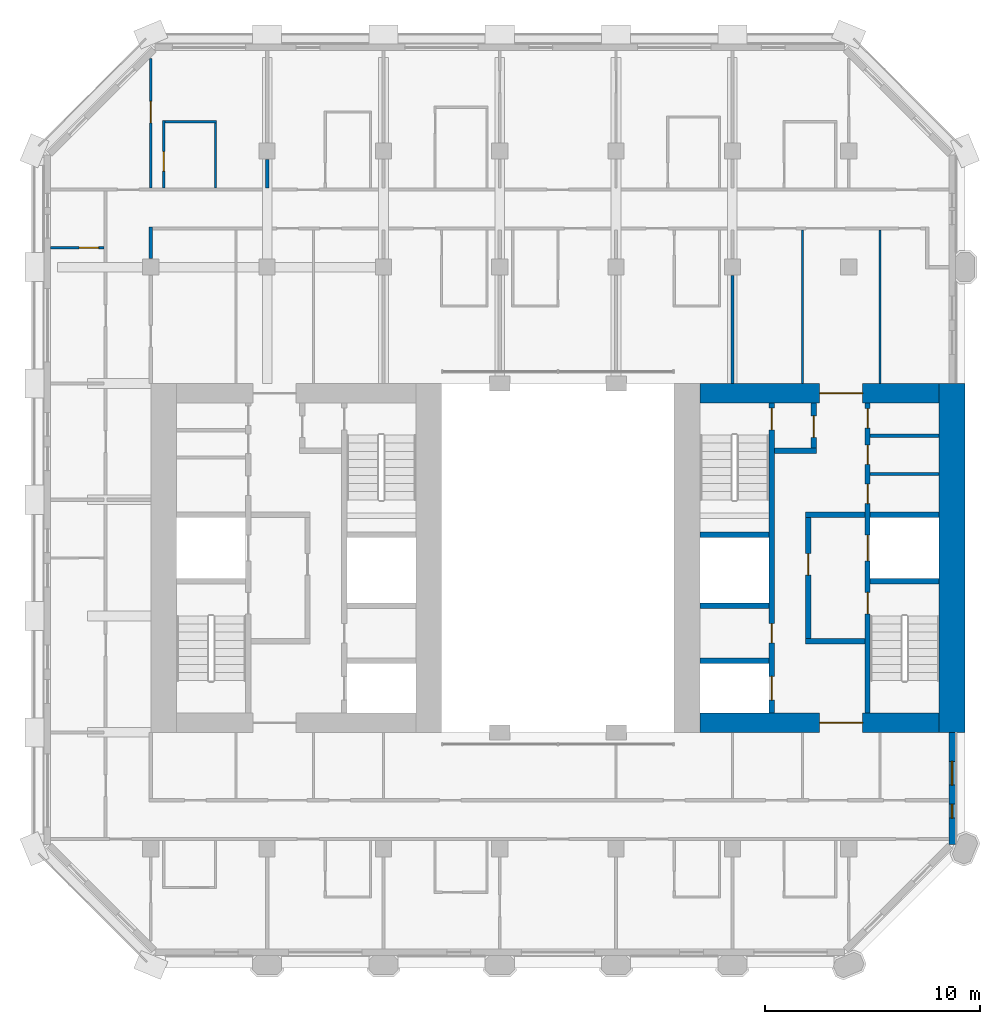
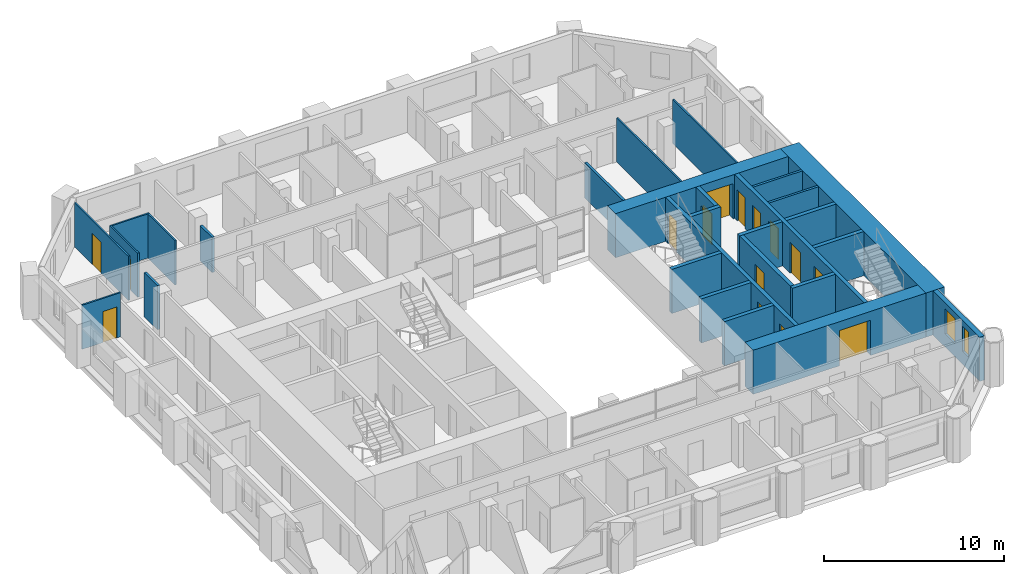
# One storey, part 9 of 14: 28 walls, 15 doors, 2 windows, 17 openings.
"""IFC4 building model written with IfcOpenShell, lengths in metres."""

from ifc_helpers import new_model, si_unit, direction, frame, frame_2d, origin, place, context, subcontext, project, spatial, rectangle, extrude, material, layer, layer_set, type_object, element, fill, save


model = new_model("IFC4")

# Units and contexts
model_context = context("Model", 3, precision=1e-05, world=origin(), true_north=direction((0.0, 1.0)))
body_context = subcontext(model_context, "Body", "Model", "MODEL_VIEW")
ifc_project = project(units=[si_unit("LENGTHUNIT", "METRE"), si_unit("AREAUNIT", "SQUARE_METRE"), si_unit("VOLUMEUNIT", "CUBIC_METRE"), si_unit("PLANEANGLEUNIT", "RADIAN"), si_unit("MASSUNIT", "GRAM", prefix="KILO")], contexts=[model_context])

# Site, building, storey
site_placement = place(None, origin())
site = spatial("IfcSite", under=ifc_project, at=site_placement, CompositionType="ELEMENT")
building_placement = place(site_placement, origin())
building = spatial("IfcBuilding", under=site, at=building_placement, Name="Tabaq Tower and Sports Hall", CompositionType="ELEMENT")
storey_placement = place(building_placement, frame((0.0, 0.0, 223.60009765625)))
storey = spatial("IfcBuildingStorey", under=building, at=storey_placement, Name="L56", CompositionType="ELEMENT", Elevation=223.60009765625)

# Walls
ifc_material_1 = material(Name="Blockwork", Category="masonry")
ifc_layer_1 = layer(ifc_material_1, 0.14990234375)
ifc_layer_set_1 = layer_set([ifc_layer_1], Name="Core room partition 150 Blockwork")
wall_type_1 = type_object("IfcWallType", Name="Core room partition 150 Blockwork", PredefinedType="PARTITIONING", material=ifc_layer_set_1)
for number, where, z_axis, x_axis, name in (
    (1, (38.800048828125, 28.200927734375, 0.0), (0.0, 0.0, 1.0), (1.0, 0.0, 0.0), "Core room partition E L56"),
    (2, (38.800048828125, 29.97705078125, 0.0), (0.0, 0.0, 1.0), (1.0, 0.0, 0.0), "Core room partition E L56"),
):
    element("IfcWall", number, at=place(storey_placement, frame(where, z_axis=z_axis, x_axis=x_axis)), inside=storey, type_object=wall_type_1, Name=name, PredefinedType="PARTITIONING", context=body_context, shape_type="SweptSolid", body=[
        extrude(rectangle(XDim=3.199951171875, YDim=0.14990234375, at=frame_2d((1.60009765625, 0.0))), origin(), (0.0, 0.0, 1.0), 3.0),
    ])
ifc_material_2 = material(Name="Concrete C50/60", Category="concrete")
ifc_layer_2 = layer(ifc_material_2, 1.199951171875)
ifc_layer_set_2 = layer_set([ifc_layer_2], Name="Core wall 1200 Concrete C50/60")
wall_type_2 = type_object("IfcWallType", Name="Core wall 1200 Concrete C50/60", PredefinedType="SOLIDWALL", material=ifc_layer_set_2)
wall_1_placement = place(storey_placement, frame((42.60009765625, 32.39990234375, 0.0), z_axis=(0.0, 0.0, 1.0), x_axis=(0.0, -1.0, 0.0)))
element("IfcWall", 3, at=wall_1_placement, inside=storey, type_object=wall_type_2, Name="Core wall E L56", PredefinedType="SOLIDWALL", context=body_context, shape_type="SweptSolid", body=[
    extrude(rectangle(XDim=16.199951171875, YDim=1.199951171875, at=frame_2d((8.10009765625, 0.0))), origin(), (0.0, 0.0, 1.0), 3.0),
])

# Wall, opening, door
ifc_material_3 = material(Name="Concrete C50/60", Category="concrete")
ifc_layer_3 = layer(ifc_material_3, 0.89990234375)
ifc_layer_set_3 = layer_set([ifc_layer_3], Name="Core wall 900 Concrete C50/60")
wall_type_3 = type_object("IfcWallType", Name="Core wall 900 Concrete C50/60", PredefinedType="SOLIDWALL", material=ifc_layer_set_3)
wall_2_placement = place(storey_placement, frame((42.0, 16.64990234375, 0.0), z_axis=(0.0, 0.0, 1.0), x_axis=(-1.0, 0.0, 0.0)))
wall_2 = element("IfcWall", 4, at=wall_2_placement, inside=storey, type_object=wall_type_3, Name="Core wall E L56", PredefinedType="SOLIDWALL", context=body_context, shape_type="SweptSolid", body=[
    extrude(rectangle(XDim=11.10009765625, YDim=0.89990234375, at=frame_2d((5.550048828125, 0.0))), origin(), (0.0, 0.0, 1.0), 3.0),
])
opening_1_placement = place(wall_2_placement, frame((3.550048828125, 0.0, 0.0)))
opening_1 = element("IfcOpeningElement", 5, at=opening_1_placement, cuts=wall_2, Name="Opening PD-EL56-01", PredefinedType="OPENING", context=body_context, shape_type="SweptSolid", body=[
    extrude(rectangle(XDim=2.0, YDim=2.39990234375, at=frame_2d((1.0, 1.199951171875))), frame((0.0, 0.449951171875, 0.0), z_axis=(0.0, -1.0, 0.0), x_axis=(1.0, 0.0, 0.0)), (0.0, 0.0, 1.0), 0.89990234375),
])
ifc_material_4 = material(Name="Steel fire door", Category="steel")
door_type_1 = type_object("IfcDoorType", Name="Core entrance door 2000", OperationType="DOUBLE_DOOR_SINGLE_SWING", PredefinedType="DOOR", material=ifc_material_4)
door_1_placement = place(opening_1_placement, origin())
door_1 = element("IfcDoor", 6, at=door_1_placement, inside=storey, type_object=door_type_1, Name="Core entrance south E L56", OperationType="DOUBLE_DOOR_SINGLE_SWING", OverallHeight=2.39990234375, OverallWidth=2.0, PredefinedType="DOOR", context=body_context, shape_type="SweptSolid", body=[
    extrude(rectangle(XDim=2.0, YDim=2.39990234375, at=frame_2d((1.0, 1.199951171875))), frame((0.0, 0.02490234375, 0.0), z_axis=(0.0, -1.0, 0.0), x_axis=(1.0, 0.0, 0.0)), (0.0, 0.0, 1.0), 0.050048828125),
])
fill(opening_1, door_1)

wall_3_placement = place(storey_placement, frame((30.89990234375, 31.949951171875, 0.0), z_axis=(0.0, 0.0, 1.0), x_axis=(1.0, 0.0, 0.0)))
wall_3 = element("IfcWall", 7, at=wall_3_placement, inside=storey, type_object=wall_type_3, Name="Core wall E L56", PredefinedType="SOLIDWALL", context=body_context, shape_type="SweptSolid", body=[
    extrude(rectangle(XDim=11.10009765625, YDim=0.89990234375, at=frame_2d((5.550048828125, 0.0))), origin(), (0.0, 0.0, 1.0), 3.0),
])
opening_2_placement = place(wall_3_placement, frame((5.550048828125, 0.0, 0.0)))
opening_2 = element("IfcOpeningElement", 8, at=opening_2_placement, cuts=wall_3, Name="Opening PD-EL56-02", PredefinedType="OPENING", context=body_context, shape_type="SweptSolid", body=[
    extrude(rectangle(XDim=2.0, YDim=2.39990234375, at=frame_2d((1.0, 1.199951171875))), frame((0.0, 0.449951171875, 0.0), z_axis=(0.0, -1.0, 0.0), x_axis=(1.0, 0.0, 0.0)), (0.0, 0.0, 1.0), 0.89990234375),
])
door_2_placement = place(opening_2_placement, origin())
door_2 = element("IfcDoor", 9, at=door_2_placement, inside=storey, type_object=door_type_1, Name="Core entrance north E L56", OperationType="DOUBLE_DOOR_SINGLE_SWING", OverallHeight=2.39990234375, OverallWidth=2.0, PredefinedType="DOOR", context=body_context, shape_type="SweptSolid", body=[
    extrude(rectangle(XDim=2.0, YDim=2.39990234375, at=frame_2d((1.0, 1.199951171875))), frame((0.0, 0.02490234375, 0.0), z_axis=(0.0, -1.0, 0.0), x_axis=(1.0, 0.0, 0.0)), (0.0, 0.0, 1.0), 0.050048828125),
])
fill(opening_2, door_2)

ifc_material_5 = material(Name="Gypsum board on steel studs", Category="steel")
ifc_layer_4 = layer(ifc_material_5, 0.10009765625)
ifc_layer_set_4 = layer_set([ifc_layer_4], Name="Partition 100 Gypsum board")
wall_type_4 = type_object("IfcWallType", Name="Partition 100 Gypsum board", PredefinedType="PARTITIONING", material=ifc_layer_set_4)
wall_4_placement = place(storey_placement, frame((3.22509765625, 38.699951171875, 0.0), z_axis=(0.0, 0.0, 1.0), x_axis=(-1.0, 0.0, 0.0)))
wall_4 = element("IfcWall", 10, at=wall_4_placement, inside=storey, type_object=wall_type_4, Name="Partition wall L56", PredefinedType="PARTITIONING", context=body_context, shape_type="SweptSolid", body=[
    extrude(rectangle(XDim=2.47412109375, YDim=0.10009765625, at=frame_2d((1.237060546875, 0.0))), origin(), (0.0, 0.0, 1.0), 3.0),
])
opening_3_placement = place(wall_4_placement, frame((0.25, 0.0, 0.0)))
opening_3 = element("IfcOpeningElement", 11, at=opening_3_placement, cuts=wall_4, Name="Opening L56-004", PredefinedType="OPENING", context=body_context, shape_type="SweptSolid", body=[
    extrude(rectangle(XDim=0.89990234375, YDim=2.10009765625, at=frame_2d((0.449951171875, 1.050048828125))), frame((0.0, 0.050048828125, 0.0), z_axis=(0.0, -1.0, 0.0), x_axis=(1.0, 0.0, 0.0)), (0.0, 0.0, 1.0), 0.10009765625),
])
ifc_material_6 = material(Name="Timber leaf in steel frame", Category="steel")
door_type_2 = type_object("IfcDoorType", Name="Internal door 900 left hand", OperationType="SINGLE_SWING_LEFT", PredefinedType="DOOR", material=ifc_material_6)
door_3_placement = place(opening_3_placement, origin())
door_3 = element("IfcDoor", 12, at=door_3_placement, inside=storey, type_object=door_type_2, Name="Internal door L56-004", OperationType="SINGLE_SWING_LEFT", OverallHeight=2.10009765625, OverallWidth=0.89990234375, PredefinedType="DOOR", context=body_context, shape_type="SweptSolid", body=[
    extrude(rectangle(XDim=0.89990234375, YDim=2.10009765625, at=frame_2d((0.449951171875, 1.050048828125))), frame((0.0, 0.02490234375, 0.0), z_axis=(0.0, -1.0, 0.0), x_axis=(1.0, 0.0, 0.0)), (0.0, 0.0, 1.0), 0.050048828125),
])
fill(opening_3, door_3)

wall_5_placement = place(storey_placement, frame((5.39990234375, 47.48779296875, 0.0), z_axis=(0.0, 0.0, 1.0), x_axis=(0.0, -1.0, 0.0)))
wall_5 = element("IfcWall", 13, at=wall_5_placement, inside=storey, type_object=wall_type_4, Name="Partition wall L56", PredefinedType="PARTITIONING", context=body_context, shape_type="SweptSolid", body=[
    extrude(rectangle(XDim=6.0126953125, YDim=0.10009765625, at=frame_2d((3.00634765625, 0.0))), origin(), (0.0, 0.0, 1.0), 3.0),
])
opening_4_placement = place(wall_5_placement, frame((1.98779296875, 0.0, 0.0)))
opening_4 = element("IfcOpeningElement", 14, at=opening_4_placement, cuts=wall_5, Name="Opening L56-037", PredefinedType="OPENING", context=body_context, shape_type="SweptSolid", body=[
    extrude(rectangle(XDim=1.0, YDim=2.10009765625, at=frame_2d((0.5, 1.050048828125))), frame((0.0, 0.050048828125, 0.0), z_axis=(0.0, -1.0, 0.0), x_axis=(1.0, 0.0, 0.0)), (0.0, 0.0, 1.0), 0.10009765625),
])
ifc_material_7 = material(Name="Timber leaf in steel frame", Category="steel")
door_type_3 = type_object("IfcDoorType", Name="Internal door 1000 left hand", OperationType="SINGLE_SWING_LEFT", PredefinedType="DOOR", material=ifc_material_7)
door_4_placement = place(opening_4_placement, origin())
door_4 = element("IfcDoor", 15, at=door_4_placement, inside=storey, type_object=door_type_3, Name="Internal door L56-037", OperationType="SINGLE_SWING_LEFT", OverallHeight=2.10009765625, OverallWidth=1.0, PredefinedType="DOOR", context=body_context, shape_type="SweptSolid", body=[
    extrude(rectangle(XDim=1.0, YDim=2.10009765625, at=frame_2d((0.5, 1.050048828125))), frame((0.0, 0.02490234375, 0.0), z_axis=(0.0, -1.0, 0.0), x_axis=(1.0, 0.0, 0.0)), (0.0, 0.0, 1.0), 0.050048828125),
])
fill(opening_4, door_4)

wall_6_placement = place(storey_placement, frame((6.0, 41.47509765625, 0.0), z_axis=(0.0, 0.0, 1.0), x_axis=(0.0, 1.0, 0.0)))
wall_6 = element("IfcWall", 16, at=wall_6_placement, inside=storey, type_object=wall_type_4, Name="Partition wall L56", PredefinedType="PARTITIONING", context=body_context, shape_type="SweptSolid", body=[
    extrude(rectangle(XDim=3.125, YDim=0.10009765625, at=frame_2d((1.5625, 0.0))), origin(), (0.0, 0.0, 1.0), 3.0),
])
opening_5_placement = place(wall_6_placement, frame((0.78759765625, 0.0, 0.0)))
opening_5 = element("IfcOpeningElement", 17, at=opening_5_placement, cuts=wall_6, Name="Opening L56-009", PredefinedType="OPENING", context=body_context, shape_type="SweptSolid", body=[
    extrude(rectangle(XDim=0.89990234375, YDim=2.10009765625, at=frame_2d((0.449951171875, 1.050048828125))), frame((0.0, 0.050048828125, 0.0), z_axis=(0.0, -1.0, 0.0), x_axis=(1.0, 0.0, 0.0)), (0.0, 0.0, 1.0), 0.10009765625),
])
door_5_placement = place(opening_5_placement, origin())
door_5 = element("IfcDoor", 18, at=door_5_placement, inside=storey, type_object=door_type_2, Name="Internal door L56-009", OperationType="SINGLE_SWING_LEFT", OverallHeight=2.10009765625, OverallWidth=0.89990234375, PredefinedType="DOOR", context=body_context, shape_type="SweptSolid", body=[
    extrude(rectangle(XDim=0.89990234375, YDim=2.10009765625, at=frame_2d((0.449951171875, 1.050048828125))), frame((0.0, 0.02490234375, 0.0), z_axis=(0.0, -1.0, 0.0), x_axis=(1.0, 0.0, 0.0)), (0.0, 0.0, 1.0), 0.050048828125),
])
fill(opening_5, door_5)

# Walls
wall_7_placement = place(storey_placement, frame((6.050048828125, 44.550048828125, 0.0), z_axis=(0.0, 0.0, 1.0), x_axis=(1.0, 0.0, 0.0)))
element("IfcWall", 19, at=wall_7_placement, inside=storey, type_object=wall_type_4, Name="Partition wall L56", PredefinedType="PARTITIONING", context=body_context, shape_type="SweptSolid", body=[
    extrude(rectangle(XDim=2.39990234375, YDim=0.10009765625, at=frame_2d((1.199951171875, 0.0))), origin(), (0.0, 0.0, 1.0), 3.0),
])
wall_8_placement = place(storey_placement, frame((8.39990234375, 44.5, 0.0), z_axis=(0.0, 0.0, 1.0), x_axis=(0.0, -1.0, 0.0)))
element("IfcWall", 20, at=wall_8_placement, inside=storey, type_object=wall_type_4, Name="Partition wall L56", PredefinedType="PARTITIONING", context=body_context, shape_type="SweptSolid", body=[
    extrude(rectangle(XDim=3.02490234375, YDim=0.10009765625, at=frame_2d((1.512451171875, 0.0))), origin(), (0.0, 0.0, 1.0), 3.0),
])
for number, where, z_axis, x_axis, name in (
    (21, (39.25, 32.39990234375, 0.0), (0.0, 0.0, 1.0), (0.0, 1.0, 0.0), "Partition wall L56"),
    (22, (35.64990234375, 39.52490234375, 0.0), (0.0, 0.0, 1.0), (0.0, -1.0, 0.0), "Partition wall L56"),
):
    element("IfcWall", number, at=place(storey_placement, frame(where, z_axis=z_axis, x_axis=x_axis)), inside=storey, type_object=wall_type_4, Name=name, PredefinedType="PARTITIONING", context=body_context, shape_type="SweptSolid", body=[
        extrude(rectangle(XDim=7.125, YDim=0.10009765625, at=frame_2d((3.5625, 0.0))), origin(), (0.0, 0.0, 1.0), 3.0),
    ])
ifc_material_8 = material(Name="Blockwork", Category="masonry")
ifc_layer_5 = layer(ifc_material_8, 0.14990234375)
ifc_layer_set_5 = layer_set([ifc_layer_5], Name="Separating wall 150 Blockwork")
wall_type_5 = type_object("IfcWallType", Name="Separating wall 150 Blockwork", PredefinedType="PARTITIONING", material=ifc_layer_set_5)
wall_9_placement = place(storey_placement, frame((32.39990234375, 32.39990234375, 0.0), z_axis=(0.0, 0.0, 1.0), x_axis=(0.0, 1.0, 0.0)))
element("IfcWall", 23, at=wall_9_placement, inside=storey, type_object=wall_type_5, Name="Separating wall L56", PredefinedType="PARTITIONING", context=body_context, shape_type="SweptSolid", body=[
    extrude(rectangle(XDim=5.005126953125, YDim=0.14990234375, at=frame_2d((2.50244140625, 0.0))), origin(), (0.0, 0.0, 1.0), 2.39990234375),
])
wall_10_placement = place(storey_placement, frame((10.800048828125, 42.804931640625, 0.0), z_axis=(0.0, 0.0, 1.0), x_axis=(0.0, -1.0, 0.0)))
element("IfcWall", 24, at=wall_10_placement, inside=storey, type_object=wall_type_5, Name="Separating wall L56", PredefinedType="PARTITIONING", context=body_context, shape_type="SweptSolid", body=[
    extrude(rectangle(XDim=1.329833984375, YDim=0.14990234375, at=frame_2d((0.6650390625, 0.0))), origin(), (0.0, 0.0, 1.0), 2.39990234375),
])
wall_11_placement = place(storey_placement, frame((5.39990234375, 38.195068359375, 0.0), z_axis=(0.0, 0.0, 1.0), x_axis=(0.0, 1.0, 0.0)))
element("IfcWall", 25, at=wall_11_placement, inside=storey, type_object=wall_type_5, Name="Separating wall L56", PredefinedType="PARTITIONING", context=body_context, shape_type="SweptSolid", body=[
    extrude(rectangle(XDim=1.47998046875, YDim=0.14990234375, at=frame_2d((0.739990234375, 0.0))), origin(), (0.0, 0.0, 1.0), 3.0),
])

# Wall, openings, doors
ifc_material_9 = material(Name="Concrete C40/50", Category="concrete")
ifc_layer_6 = layer(ifc_material_9, 0.25)
ifc_layer_set_6 = layer_set([ifc_layer_6], Name="Shaft and stair wall 250 Concrete C40/50")
wall_type_6 = type_object("IfcWallType", Name="Shaft and stair wall 250 Concrete C40/50", PredefinedType="SOLIDWALL", material=ifc_layer_set_6)
wall_12_placement = place(storey_placement, frame((38.675048828125, 17.10009765625, 0.0), z_axis=(0.0, 0.0, 1.0), x_axis=(0.0, 1.0, 0.0)))
wall_12 = element("IfcWall", 26, at=wall_12_placement, inside=storey, type_object=wall_type_6, Name="Shaft wall E L56", PredefinedType="SOLIDWALL", context=body_context, shape_type="SweptSolid", body=[
    extrude(rectangle(XDim=14.39990234375, YDim=0.25, at=frame_2d((7.199951171875, 0.0))), origin(), (0.0, 0.0, 1.0), 3.0),
])
opening_6_placement = place(wall_12_placement, frame((4.60009765625, 0.0, 0.0)))
opening_6 = element("IfcOpeningElement", 27, at=opening_6_placement, cuts=wall_12, Name="Opening SD-EL56-03", PredefinedType="OPENING", context=body_context, shape_type="SweptSolid", body=[
    extrude(rectangle(XDim=1.0, YDim=2.10009765625, at=frame_2d((0.5, 1.050048828125))), frame((0.0, 0.125, 0.0), z_axis=(0.0, -1.0, 0.0), x_axis=(1.0, 0.0, 0.0)), (0.0, 0.0, 1.0), 0.25),
])
opening_7_placement = place(wall_12_placement, frame((7.0625, 0.0, 0.0)))
opening_7 = element("IfcOpeningElement", 28, at=opening_7_placement, cuts=wall_12, Name="Opening LD-FF2-L56", PredefinedType="OPENING", context=body_context, shape_type="SweptSolid", body=[
    extrude(rectangle(XDim=1.199951171875, YDim=2.10009765625, at=frame_2d((0.60009765625, 1.050048828125))), frame((0.0, 0.125, 0.0), z_axis=(0.0, -1.0, 0.0), x_axis=(1.0, 0.0, 0.0)), (0.0, 0.0, 1.0), 0.25),
])
opening_8_placement = place(wall_12_placement, frame((9.7255859375, 0.0, 0.0)))
opening_8 = element("IfcOpeningElement", 29, at=opening_8_placement, cuts=wall_12, Name="Opening RD-EL56-09", PredefinedType="OPENING", context=body_context, shape_type="SweptSolid", body=[
    extrude(rectangle(XDim=0.89990234375, YDim=2.10009765625, at=frame_2d((0.449951171875, 1.050048828125))), frame((0.0, 0.125, 0.0), z_axis=(0.0, -1.0, 0.0), x_axis=(1.0, 0.0, 0.0)), (0.0, 0.0, 1.0), 0.25),
])
opening_9_placement = place(wall_12_placement, frame((11.5390625, 0.0, 0.0)))
opening_9 = element("IfcOpeningElement", 30, at=opening_9_placement, cuts=wall_12, Name="Opening RD-EL56-10", PredefinedType="OPENING", context=body_context, shape_type="SweptSolid", body=[
    extrude(rectangle(XDim=0.89990234375, YDim=2.10009765625, at=frame_2d((0.449951171875, 1.050048828125))), frame((0.0, 0.125, 0.0), z_axis=(0.0, -1.0, 0.0), x_axis=(1.0, 0.0, 0.0)), (0.0, 0.0, 1.0), 0.25),
])
opening_10_placement = place(wall_12_placement, frame((13.22607421875, 0.0, 0.0)))
opening_10 = element("IfcOpeningElement", 31, at=opening_10_placement, cuts=wall_12, Name="Opening RD-EL56-11", PredefinedType="OPENING", context=body_context, shape_type="SweptSolid", body=[
    extrude(rectangle(XDim=0.89990234375, YDim=2.10009765625, at=frame_2d((0.449951171875, 1.050048828125))), frame((0.0, 0.125, 0.0), z_axis=(0.0, -1.0, 0.0), x_axis=(1.0, 0.0, 0.0)), (0.0, 0.0, 1.0), 0.25),
])
ifc_material_10 = material(Name="Steel fire door", Category="steel")
door_type_4 = type_object("IfcDoorType", Name="Core room door 900", OperationType="SINGLE_SWING_LEFT", PredefinedType="DOOR", material=ifc_material_10)
door_6_placement = place(opening_8_placement, origin())
door_6 = element("IfcDoor", 32, at=door_6_placement, inside=storey, type_object=door_type_4, Name="Door Accessible WC E L56", OperationType="SINGLE_SWING_LEFT", OverallHeight=2.10009765625, OverallWidth=0.89990234375, PredefinedType="DOOR", context=body_context, shape_type="SweptSolid", body=[
    extrude(rectangle(XDim=0.89990234375, YDim=2.10009765625, at=frame_2d((0.449951171875, 1.050048828125))), frame((0.0, 0.02490234375, 0.0), z_axis=(0.0, -1.0, 0.0), x_axis=(1.0, 0.0, 0.0)), (0.0, 0.0, 1.0), 0.050048828125),
])
fill(opening_8, door_6)
door_7_placement = place(opening_9_placement, origin())
door_7 = element("IfcDoor", 33, at=door_7_placement, inside=storey, type_object=door_type_4, Name="Door Unisex WC E L56", OperationType="SINGLE_SWING_LEFT", OverallHeight=2.10009765625, OverallWidth=0.89990234375, PredefinedType="DOOR", context=body_context, shape_type="SweptSolid", body=[
    extrude(rectangle(XDim=0.89990234375, YDim=2.10009765625, at=frame_2d((0.449951171875, 1.050048828125))), frame((0.0, 0.02490234375, 0.0), z_axis=(0.0, -1.0, 0.0), x_axis=(1.0, 0.0, 0.0)), (0.0, 0.0, 1.0), 0.050048828125),
])
fill(opening_9, door_7)
door_8_placement = place(opening_10_placement, origin())
door_8 = element("IfcDoor", 34, at=door_8_placement, inside=storey, type_object=door_type_4, Name="Door Cleaner's Store E L56", OperationType="SINGLE_SWING_LEFT", OverallHeight=2.10009765625, OverallWidth=0.89990234375, PredefinedType="DOOR", context=body_context, shape_type="SweptSolid", body=[
    extrude(rectangle(XDim=0.89990234375, YDim=2.10009765625, at=frame_2d((0.449951171875, 1.050048828125))), frame((0.0, 0.02490234375, 0.0), z_axis=(0.0, -1.0, 0.0), x_axis=(1.0, 0.0, 0.0)), (0.0, 0.0, 1.0), 0.050048828125),
])
fill(opening_10, door_8)
ifc_material_11 = material(Name="Stainless steel", Category="steel")
door_type_5 = type_object("IfcDoorType", Name="Lift landing door 1200", OperationType="DOUBLE_DOOR_SLIDING", PredefinedType="DOOR", material=ifc_material_11)
door_9_placement = place(opening_7_placement, origin())
door_9 = element("IfcDoor", 35, at=door_9_placement, inside=storey, type_object=door_type_5, Name="Lift landing door FF2 E L56", OperationType="DOUBLE_DOOR_SLIDING", OverallHeight=2.10009765625, OverallWidth=1.199951171875, PredefinedType="DOOR", context=body_context, shape_type="SweptSolid", body=[
    extrude(rectangle(XDim=1.199951171875, YDim=2.10009765625, at=frame_2d((0.60009765625, 1.050048828125))), frame((0.0, 0.02490234375, 0.0), z_axis=(0.0, -1.0, 0.0), x_axis=(1.0, 0.0, 0.0)), (0.0, 0.0, 1.0), 0.050048828125),
])
fill(opening_7, door_9)
ifc_material_12 = material(Name="Steel fire door", Category="steel")
door_type_6 = type_object("IfcDoorType", Name="Stair door 1000", OperationType="SINGLE_SWING_LEFT", PredefinedType="DOOR", material=ifc_material_12)
door_10_placement = place(opening_6_placement, origin())
door_10 = element("IfcDoor", 36, at=door_10_placement, inside=storey, type_object=door_type_6, Name="Stair door ST3 E L56", OperationType="SINGLE_SWING_LEFT", OverallHeight=2.10009765625, OverallWidth=1.0, PredefinedType="DOOR", context=body_context, shape_type="SweptSolid", body=[
    extrude(rectangle(XDim=1.0, YDim=2.10009765625, at=frame_2d((0.5, 1.050048828125))), frame((0.0, 0.02490234375, 0.0), z_axis=(0.0, -1.0, 0.0), x_axis=(1.0, 0.0, 0.0)), (0.0, 0.0, 1.0), 0.050048828125),
])
fill(opening_6, door_10)

wall_13_placement = place(storey_placement, frame((34.22509765625, 17.10009765625, 0.0), z_axis=(0.0, 0.0, 1.0), x_axis=(0.0, 1.0, 0.0)))
wall_13 = element("IfcWall", 37, at=wall_13_placement, inside=storey, type_object=wall_type_6, Name="Shaft wall E L56", PredefinedType="SOLIDWALL", context=body_context, shape_type="SweptSolid", body=[
    extrude(rectangle(XDim=14.39990234375, YDim=0.25, at=frame_2d((7.199951171875, 0.0))), origin(), (0.0, 0.0, 1.0), 3.0),
])
opening_11_placement = place(wall_13_placement, frame((13.14990234375, 0.0, 0.0)))
opening_11 = element("IfcOpeningElement", 38, at=opening_11_placement, cuts=wall_13, Name="Opening SD-EL56-05", PredefinedType="OPENING", context=body_context, shape_type="SweptSolid", body=[
    extrude(rectangle(XDim=1.0, YDim=2.10009765625, at=frame_2d((0.5, 1.050048828125))), frame((0.0, 0.125, 0.0), z_axis=(0.0, -1.0, 0.0), x_axis=(1.0, 0.0, 0.0)), (0.0, 0.0, 1.0), 0.25),
])
opening_12_placement = place(wall_13_placement, frame((0.60009765625, 0.0, 0.0)))
opening_12 = element("IfcOpeningElement", 39, at=opening_12_placement, cuts=wall_13, Name="Opening LD-MR2-L56", PredefinedType="OPENING", context=body_context, shape_type="SweptSolid", body=[
    extrude(rectangle(XDim=1.10009765625, YDim=2.10009765625, at=frame_2d((0.550048828125, 1.050048828125))), frame((0.0, 0.125, 0.0), z_axis=(0.0, -1.0, 0.0), x_axis=(1.0, 0.0, 0.0)), (0.0, 0.0, 1.0), 0.25),
])
opening_13_placement = place(wall_13_placement, frame((3.25, 0.0, 0.0)))
opening_13 = element("IfcOpeningElement", 40, at=opening_13_placement, cuts=wall_13, Name="Opening RD-EL56-12", PredefinedType="OPENING", context=body_context, shape_type="SweptSolid", body=[
    extrude(rectangle(XDim=0.89990234375, YDim=2.10009765625, at=frame_2d((0.449951171875, 1.050048828125))), frame((0.0, 0.125, 0.0), z_axis=(0.0, -1.0, 0.0), x_axis=(1.0, 0.0, 0.0)), (0.0, 0.0, 1.0), 0.25),
])
door_11_placement = place(opening_13_placement, origin())
door_11 = element("IfcDoor", 41, at=door_11_placement, inside=storey, type_object=door_type_4, Name="Door Cleaner's Store E L56", OperationType="SINGLE_SWING_LEFT", OverallHeight=2.10009765625, OverallWidth=0.89990234375, PredefinedType="DOOR", context=body_context, shape_type="SweptSolid", body=[
    extrude(rectangle(XDim=0.89990234375, YDim=2.10009765625, at=frame_2d((0.449951171875, 1.050048828125))), frame((0.0, 0.02490234375, 0.0), z_axis=(0.0, -1.0, 0.0), x_axis=(1.0, 0.0, 0.0)), (0.0, 0.0, 1.0), 0.050048828125),
])
fill(opening_13, door_11)
ifc_material_13 = material(Name="Stainless steel", Category="steel")
door_type_7 = type_object("IfcDoorType", Name="Lift landing door 1100", OperationType="DOUBLE_DOOR_SLIDING", PredefinedType="DOOR", material=ifc_material_13)
door_12_placement = place(opening_12_placement, origin())
door_12 = element("IfcDoor", 42, at=door_12_placement, inside=storey, type_object=door_type_7, Name="Lift landing door MR2 E L56", OperationType="DOUBLE_DOOR_SLIDING", OverallHeight=2.10009765625, OverallWidth=1.10009765625, PredefinedType="DOOR", context=body_context, shape_type="SweptSolid", body=[
    extrude(rectangle(XDim=1.10009765625, YDim=2.10009765625, at=frame_2d((0.550048828125, 1.050048828125))), frame((0.0, 0.02490234375, 0.0), z_axis=(0.0, -1.0, 0.0), x_axis=(1.0, 0.0, 0.0)), (0.0, 0.0, 1.0), 0.050048828125),
])
fill(opening_12, door_12)
door_13_placement = place(opening_11_placement, origin())
door_13 = element("IfcDoor", 43, at=door_13_placement, inside=storey, type_object=door_type_6, Name="Stair door ST4 E L56", OperationType="SINGLE_SWING_LEFT", OverallHeight=2.10009765625, OverallWidth=1.0, PredefinedType="DOOR", context=body_context, shape_type="SweptSolid", body=[
    extrude(rectangle(XDim=1.0, YDim=2.10009765625, at=frame_2d((0.5, 1.050048828125))), frame((0.0, 0.02490234375, 0.0), z_axis=(0.0, -1.0, 0.0), x_axis=(1.0, 0.0, 0.0)), (0.0, 0.0, 1.0), 0.050048828125),
])
fill(opening_11, door_13)

# Walls
wall_14_placement = place(storey_placement, frame((38.800048828125, 23.22509765625, 0.0), z_axis=(0.0, 0.0, 1.0), x_axis=(1.0, 0.0, 0.0)))
element("IfcWall", 44, at=wall_14_placement, inside=storey, type_object=wall_type_6, Name="Stair enclosure wall E L56", PredefinedType="SOLIDWALL", context=body_context, shape_type="SweptSolid", body=[
    extrude(rectangle(XDim=3.199951171875, YDim=0.25, at=frame_2d((1.60009765625, 0.0))), origin(), (0.0, 0.0, 1.0), 3.0),
])
for number, where, z_axis, x_axis, name in (
    (45, (30.89990234375, 25.375, 0.0), (0.0, 0.0, 1.0), (1.0, 0.0, 0.0), "Stair enclosure wall E L56"),
    (46, (30.89990234375, 22.074951171875, 0.0), (0.0, 0.0, 1.0), (1.0, 0.0, 0.0), "Shaft wall E L56"),
):
    element("IfcWall", number, at=place(storey_placement, frame(where, z_axis=z_axis, x_axis=x_axis)), inside=storey, type_object=wall_type_6, Name=name, PredefinedType="SOLIDWALL", context=body_context, shape_type="SweptSolid", body=[
        extrude(rectangle(XDim=3.2001953125, YDim=0.25, at=frame_2d((1.60009765625, 0.0))), origin(), (0.0, 0.0, 1.0), 3.0),
    ])
wall_15_placement = place(storey_placement, frame((38.800048828125, 26.300048828125, 0.0), z_axis=(0.0, 0.0, 1.0), x_axis=(1.0, 0.0, 0.0)))
element("IfcWall", 47, at=wall_15_placement, inside=storey, type_object=wall_type_6, Name="Shaft wall E L56", PredefinedType="SOLIDWALL", context=body_context, shape_type="SweptSolid", body=[
    extrude(rectangle(XDim=3.199951171875, YDim=0.25, at=frame_2d((1.60009765625, 0.0))), origin(), (0.0, 0.0, 1.0), 3.0),
])
for number, where, z_axis, x_axis, name in (
    (48, (35.800048828125, 26.300048828125, 0.0), (0.0, 0.0, 1.0), (1.0, 0.0, 0.0), "Fire-fighting lobby wall E L56"),
    (49, (35.800048828125, 20.425048828125, 0.0), (0.0, 0.0, 1.0), (1.0, 0.0, 0.0), "Fire-fighting lobby wall E L56"),
):
    element("IfcWall", number, at=place(storey_placement, frame(where, z_axis=z_axis, x_axis=x_axis)), inside=storey, type_object=wall_type_6, Name=name, PredefinedType="SOLIDWALL", context=body_context, shape_type="SweptSolid", body=[
        extrude(rectangle(XDim=2.75, YDim=0.25, at=frame_2d((1.375, 0.0))), origin(), (0.0, 0.0, 1.0), 3.0),
    ])

# Wall, opening, door
wall_16_placement = place(storey_placement, frame((36.175048828125, 29.39990234375, 0.0), z_axis=(0.0, 0.0, 1.0), x_axis=(0.0, 1.0, 0.0)))
wall_16 = element("IfcWall", 50, at=wall_16_placement, inside=storey, type_object=wall_type_6, Name="Fire-fighting lobby wall E L56", PredefinedType="SOLIDWALL", context=body_context, shape_type="SweptSolid", body=[
    extrude(rectangle(XDim=2.10009765625, YDim=0.25, at=frame_2d((1.050048828125, 0.0))), origin(), (0.0, 0.0, 1.0), 3.0),
])
opening_14_placement = place(wall_16_placement, frame((0.5, 0.0, 0.0)))
opening_14 = element("IfcOpeningElement", 51, at=opening_14_placement, cuts=wall_16, Name="Opening FD-EL56-06", PredefinedType="OPENING", context=body_context, shape_type="SweptSolid", body=[
    extrude(rectangle(XDim=1.0, YDim=2.10009765625, at=frame_2d((0.5, 1.050048828125))), frame((0.0, 0.125, 0.0), z_axis=(0.0, -1.0, 0.0), x_axis=(1.0, 0.0, 0.0)), (0.0, 0.0, 1.0), 0.25),
])
ifc_material_14 = material(Name="Steel fire door", Category="steel")
door_type_8 = type_object("IfcDoorType", Name="Fire-fighting lobby door 1000", OperationType="SINGLE_SWING_LEFT", PredefinedType="DOOR", material=ifc_material_14)
door_14_placement = place(opening_14_placement, origin())
door_14 = element("IfcDoor", 52, at=door_14_placement, inside=storey, type_object=door_type_8, Name="Stair lobby door E L56", OperationType="SINGLE_SWING_LEFT", OverallHeight=2.10009765625, OverallWidth=1.0, PredefinedType="DOOR", context=body_context, shape_type="SweptSolid", body=[
    extrude(rectangle(XDim=1.0, YDim=2.10009765625, at=frame_2d((0.5, 1.050048828125))), frame((0.0, 0.02490234375, 0.0), z_axis=(0.0, -1.0, 0.0), x_axis=(1.0, 0.0, 0.0)), (0.0, 0.0, 1.0), 0.050048828125),
])
fill(opening_14, door_14)

# Wall
wall_17_placement = place(storey_placement, frame((34.35009765625, 29.27490234375, 0.0), z_axis=(0.0, 0.0, 1.0), x_axis=(1.0, 0.0, 0.0)))
element("IfcWall", 53, at=wall_17_placement, inside=storey, type_object=wall_type_6, Name="Fire-fighting lobby wall E L56", PredefinedType="SOLIDWALL", context=body_context, shape_type="SweptSolid", body=[
    extrude(rectangle(XDim=1.949951171875, YDim=0.25, at=frame_2d((0.97509765625, 0.0))), origin(), (0.0, 0.0, 1.0), 3.0),
])

# Wall, opening, door
wall_18_placement = place(storey_placement, frame((35.925048828125, 20.550048828125, 0.0), z_axis=(0.0, 0.0, 1.0), x_axis=(0.0, 1.0, 0.0)))
wall_18 = element("IfcWall", 54, at=wall_18_placement, inside=storey, type_object=wall_type_6, Name="Fire-fighting lobby wall E L56", PredefinedType="SOLIDWALL", context=body_context, shape_type="SweptSolid", body=[
    extrude(rectangle(XDim=5.625, YDim=0.25, at=frame_2d((2.8125, 0.0))), origin(), (0.0, 0.0, 1.0), 3.0),
])
opening_15_placement = place(wall_18_placement, frame((2.949951171875, 0.0, 0.0)))
opening_15 = element("IfcOpeningElement", 55, at=opening_15_placement, cuts=wall_18, Name="Opening FD-EL56-04", PredefinedType="OPENING", context=body_context, shape_type="SweptSolid", body=[
    extrude(rectangle(XDim=1.0, YDim=2.10009765625, at=frame_2d((0.5, 1.050048828125))), frame((0.0, 0.125, 0.0), z_axis=(0.0, -1.0, 0.0), x_axis=(1.0, 0.0, 0.0)), (0.0, 0.0, 1.0), 0.25),
])
door_15_placement = place(opening_15_placement, origin())
door_15 = element("IfcDoor", 56, at=door_15_placement, inside=storey, type_object=door_type_8, Name="Fire-fighting lobby door E L56", OperationType="SINGLE_SWING_LEFT", OverallHeight=2.10009765625, OverallWidth=1.0, PredefinedType="DOOR", context=body_context, shape_type="SweptSolid", body=[
    extrude(rectangle(XDim=1.0, YDim=2.10009765625, at=frame_2d((0.5, 1.050048828125))), frame((0.0, 0.02490234375, 0.0), z_axis=(0.0, -1.0, 0.0), x_axis=(1.0, 0.0, 0.0)), (0.0, 0.0, 1.0), 0.050048828125),
])
fill(opening_15, door_15)

# Wall
wall_19_placement = place(storey_placement, frame((30.89990234375, 19.52490234375, 0.0), z_axis=(0.0, 0.0, 1.0), x_axis=(1.0, 0.0, 0.0)))
element("IfcWall", 57, at=wall_19_placement, inside=storey, type_object=wall_type_6, Name="Shaft wall E L56", PredefinedType="SOLIDWALL", context=body_context, shape_type="SweptSolid", body=[
    extrude(rectangle(XDim=3.2001953125, YDim=0.25, at=frame_2d((1.60009765625, 0.0))), origin(), (0.0, 0.0, 1.0), 3.0),
])

# Wall, openings, windows
ifc_material_15 = material(Name="White precast concrete C60/75", Category="concrete")
ifc_layer_7 = layer(ifc_material_15, 0.300048828125)
ifc_layer_set_7 = layer_set([ifc_layer_7], Name="White precast concrete C60/75 external wall 300")
wall_type_7 = type_object("IfcWallType", Name="White precast concrete C60/75 external wall 300", PredefinedType="SOLIDWALL", material=ifc_layer_set_7)
wall_20_placement = place(storey_placement, frame((42.60009765625, 10.986328125, 0.0), z_axis=(0.0, 0.0, 1.0), x_axis=(0.0, 1.0, 0.0)))
wall_20 = element("IfcWall", 58, at=wall_20_placement, inside=storey, type_object=wall_type_7, Name="External Wall L56 E", PredefinedType="SOLIDWALL", context=body_context, shape_type="SweptSolid", body=[
    extrude(rectangle(XDim=5.213623046875, YDim=0.300048828125, at=frame_2d((2.60693359375, 0.0))), origin(), (0.0, 0.0, 1.0), 3.0),
])
opening_16_placement = place(wall_20_placement, frame((1.238525390625, 0.0, 0.89990234375)))
opening_16 = element("IfcOpeningElement", 59, at=opening_16_placement, cuts=wall_20, Name="Opening W1C", PredefinedType="OPENING", context=body_context, shape_type="SweptSolid", body=[
    extrude(rectangle(XDim=0.64990234375, YDim=1.699951171875, at=frame_2d((0.324951171875, 0.85009765625))), frame((0.0, 0.16015625, 0.0), z_axis=(0.0, -1.0, 0.0), x_axis=(1.0, 0.0, 0.0)), (0.0, 0.0, 1.0), 0.320068359375),
])
opening_17_placement = place(wall_20_placement, frame((2.763671875, 0.0, 0.89990234375)))
opening_17 = element("IfcOpeningElement", 60, at=opening_17_placement, cuts=wall_20, Name="Opening W1B", PredefinedType="OPENING", context=body_context, shape_type="SweptSolid", body=[
    extrude(rectangle(XDim=1.10009765625, YDim=1.699951171875, at=frame_2d((0.550048828125, 0.85009765625))), frame((0.0, 0.16015625, 0.0), z_axis=(0.0, -1.0, 0.0), x_axis=(1.0, 0.0, 0.0)), (0.0, 0.0, 1.0), 0.320068359375),
])
ifc_material_16 = material(Name="Aluminium framed clear glazing", Category="aluminium")
window_type_1 = type_object("IfcWindowType", Name="Window W1B", PartitioningType="SINGLE_PANEL", PredefinedType="WINDOW", material=ifc_material_16)
window_1_placement = place(opening_17_placement, origin())
window_1 = element("IfcWindow", 61, at=window_1_placement, inside=storey, type_object=window_type_1, Name="Window W1B L56", OverallHeight=1.699951171875, OverallWidth=1.10009765625, PartitioningType="SINGLE_PANEL", PredefinedType="WINDOW", context=body_context, shape_type="SweptSolid", body=[
    extrude(rectangle(XDim=1.10009765625, YDim=1.699951171875, at=frame_2d((0.550048828125, 0.85009765625))), frame((0.0, 0.030029296875, 0.0), z_axis=(0.0, -1.0, 0.0), x_axis=(1.0, 0.0, 0.0)), (0.0, 0.0, 1.0), 0.06005859375),
])
fill(opening_17, window_1)
ifc_material_17 = material(Name="Aluminium framed clear glazing", Category="aluminium")
window_type_2 = type_object("IfcWindowType", Name="Window W1C", PartitioningType="SINGLE_PANEL", PredefinedType="WINDOW", material=ifc_material_17)
window_2_placement = place(opening_16_placement, origin())
window_2 = element("IfcWindow", 62, at=window_2_placement, inside=storey, type_object=window_type_2, Name="Window W1C L56", OverallHeight=1.699951171875, OverallWidth=0.64990234375, PartitioningType="SINGLE_PANEL", PredefinedType="WINDOW", context=body_context, shape_type="SweptSolid", body=[
    extrude(rectangle(XDim=0.64990234375, YDim=1.699951171875, at=frame_2d((0.324951171875, 0.85009765625))), frame((0.0, 0.030029296875, 0.0), z_axis=(0.0, -1.0, 0.0), x_axis=(1.0, 0.0, 0.0)), (0.0, 0.0, 1.0), 0.06005859375),
])
fill(opening_16, window_2)

save(model, "model.ifc")
